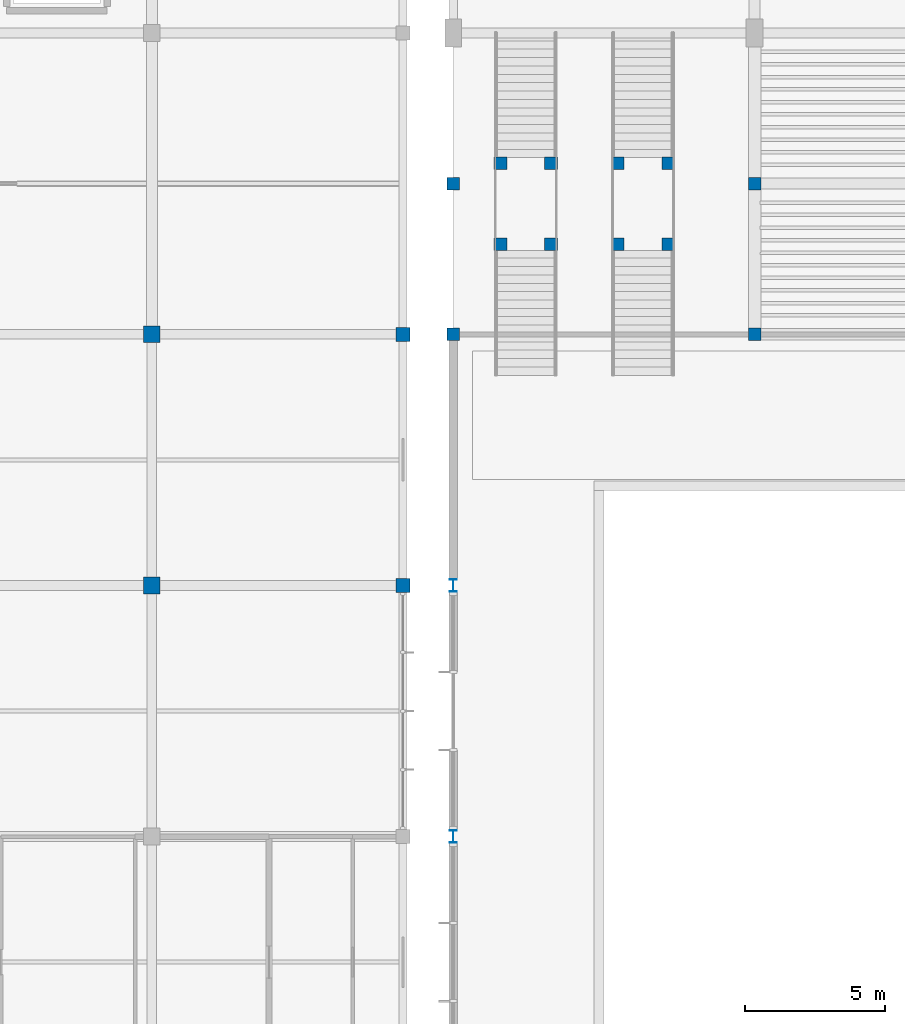
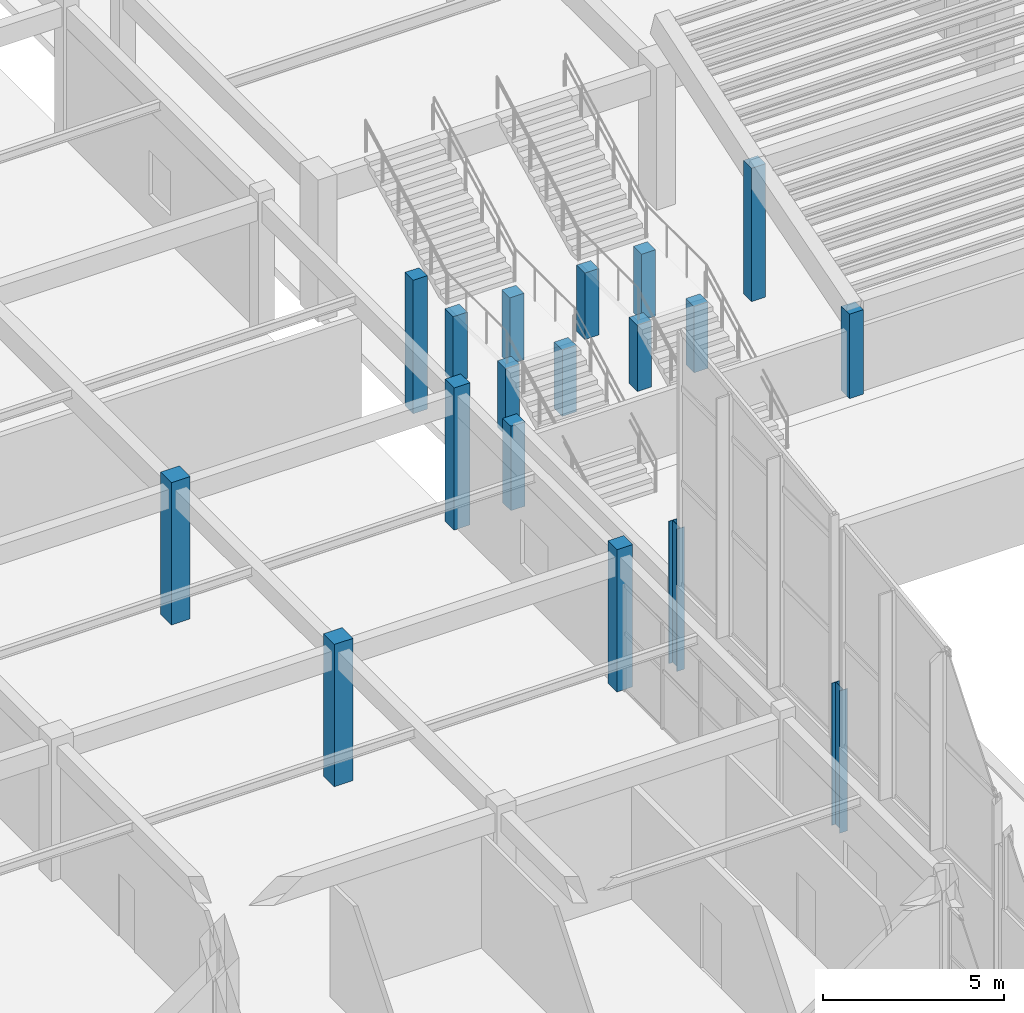
# One storey, part 7 of 82: 18 columns.
"""IFC4 building model written with IfcOpenShell, lengths in metres."""

from ifc_helpers import new_model, si_unit, direction, frame, origin, origin_2d, place, context, subcontext, project, spatial, rectangle, i_section, extrude, material, material_profile, profile_set, type_object, element, save


model = new_model("IFC4")

# Units and contexts
model_context = context("Model", 3, precision=1e-05, world=origin(), true_north=direction((0.0, 1.0)))
body_context = subcontext(model_context, "Body", "Model", "MODEL_VIEW")
ifc_project = project(units=[si_unit("LENGTHUNIT", "METRE"), si_unit("AREAUNIT", "SQUARE_METRE"), si_unit("VOLUMEUNIT", "CUBIC_METRE"), si_unit("PLANEANGLEUNIT", "RADIAN"), si_unit("MASSUNIT", "GRAM", prefix="KILO")], contexts=[model_context])

# Site, building, storey
site_placement = place(None, origin())
site = spatial("IfcSite", under=ifc_project, at=site_placement, CompositionType="ELEMENT")
building_placement = place(site_placement, origin())
building = spatial("IfcBuilding", under=site, at=building_placement, Name="Suirenkawa Promenade Aquatics Centre", CompositionType="ELEMENT")
storey_placement = place(building_placement, origin())
storey = spatial("IfcBuildingStorey", under=building, at=storey_placement, Name="L00", CompositionType="ELEMENT", Elevation=0.0)

# Columns
ifc_material_1 = material(Name="Concrete M40", Category="concrete")
ifc_material_profile_1 = material_profile(ifc_material_1, rectangle(XDim=0.449951171875, YDim=0.449951171875, at=origin_2d()), Name="RC COL 450x450", Category="concrete")
ifc_profile_set_1 = profile_set([ifc_material_profile_1], Name="Concrete M40")
column_type_1 = type_object("IfcColumnType", Name="CT-RC-450", PredefinedType="COLUMN", material=ifc_profile_set_1)
column_1_placement = place(storey_placement, frame((46.800048828125, 86.39990234375, 0.0), z_axis=(0.0, 0.0, 1.0), x_axis=(1.0, 0.0, 0.0)))
element("IfcColumn", 1, at=column_1_placement, inside=storey, type_object=column_type_1, Name="Column CL-01 COL-0948", PredefinedType="COLUMN", context=body_context, shape_type="SweptSolid", body=[
    extrude(rectangle(XDim=0.449951171875, YDim=0.449951171875, at=origin_2d()), origin(), (0.0, 0.0, 1.0), 2.85009765625),
])
column_2_placement = place(storey_placement, frame((46.800048828125, 91.800048828125, 0.0), z_axis=(0.0, 0.0, 1.0), x_axis=(1.0, 0.0, 0.0)))
element("IfcColumn", 2, at=column_2_placement, inside=storey, type_object=column_type_1, Name="Column CL-01 COL-0950", PredefinedType="COLUMN", context=body_context, shape_type="SweptSolid", body=[
    extrude(rectangle(XDim=0.449951171875, YDim=0.449951171875, at=origin_2d()), origin(), (0.0, 0.0, 1.0), 4.5),
])
column_3_placement = place(storey_placement, frame((57.60009765625, 86.39990234375, 0.0), z_axis=(0.0, 0.0, 1.0), x_axis=(1.0, 0.0, 0.0)))
element("IfcColumn", 3, at=column_3_placement, inside=storey, type_object=column_type_1, Name="Column CL-01 COL-0952", PredefinedType="COLUMN", context=body_context, shape_type="SweptSolid", body=[
    extrude(rectangle(XDim=0.449951171875, YDim=0.449951171875, at=origin_2d()), origin(), (0.0, 0.0, 1.0), 2.85009765625),
])
column_4_placement = place(storey_placement, frame((57.60009765625, 91.800048828125, 0.0), z_axis=(0.0, 0.0, 1.0), x_axis=(1.0, 0.0, 0.0)))
element("IfcColumn", 4, at=column_4_placement, inside=storey, type_object=column_type_1, Name="Column CL-01 COL-0954", PredefinedType="COLUMN", context=body_context, shape_type="SweptSolid", body=[
    extrude(rectangle(XDim=0.449951171875, YDim=0.449951171875, at=origin_2d()), origin(), (0.0, 0.0, 1.0), 4.5),
])
for number, where, z_axis, x_axis, name in (
    (5, (48.4951171875, 89.625, 0.0), (0.0, 0.0, 1.0), (1.0, 0.0, 0.0), "Column CL-01 COL-0992"),
    (6, (48.4951171875, 92.52490234375, 0.0), (0.0, 0.0, 1.0), (1.0, 0.0, 0.0), "Column CL-01 COL-0994"),
    (7, (50.304931640625, 89.625, 0.0), (0.0, 0.0, 1.0), (1.0, 0.0, 0.0), "Column CL-01 COL-0996"),
    (8, (50.304931640625, 92.52490234375, 0.0), (0.0, 0.0, 1.0), (1.0, 0.0, 0.0), "Column CL-01 COL-0998"),
    (9, (52.695068359375, 89.625, 0.0), (0.0, 0.0, 1.0), (1.0, 0.0, 0.0), "Column CL-01 COL-1000"),
    (10, (52.695068359375, 92.52490234375, 0.0), (0.0, 0.0, 1.0), (1.0, 0.0, 0.0), "Column CL-01 COL-1002"),
    (11, (54.5048828125, 89.625, 0.0), (0.0, 0.0, 1.0), (1.0, 0.0, 0.0), "Column CL-01 COL-1004"),
    (12, (54.5048828125, 92.52490234375, 0.0), (0.0, 0.0, 1.0), (1.0, 0.0, 0.0), "Column CL-01 COL-1006"),
):
    element("IfcColumn", number, at=place(storey_placement, frame(where, z_axis=z_axis, x_axis=x_axis)), inside=storey, type_object=column_type_1, Name=name, PredefinedType="COLUMN", context=body_context, shape_type="SweptSolid", body=[
        extrude(rectangle(XDim=0.449951171875, YDim=0.449951171875, at=origin_2d()), origin(), (0.0, 0.0, 1.0), 2.239990234375),
    ])
ifc_material_profile_2 = material_profile(ifc_material_1, rectangle(XDim=0.5, YDim=0.5, at=origin_2d()), Name="RC COL 500x500", Category="concrete")
ifc_profile_set_2 = profile_set([ifc_material_profile_2], Name="Concrete M40")
column_type_2 = type_object("IfcColumnType", Name="CT-RC-500", PredefinedType="COLUMN", material=ifc_profile_set_2)
for number, where, z_axis, x_axis, name in (
    (13, (45.0, 77.39990234375, 0.0), (0.0, 0.0, 1.0), (1.0, 0.0, 0.0), "Column CL-02 COL-0741"),
    (14, (45.0, 86.39990234375, 0.0), (0.0, 0.0, 1.0), (1.0, 0.0, 0.0), "Column CL-02 COL-0744"),
):
    element("IfcColumn", number, at=place(storey_placement, frame(where, z_axis=z_axis, x_axis=x_axis)), inside=storey, type_object=column_type_2, Name=name, PredefinedType="COLUMN", context=body_context, shape_type="SweptSolid", body=[
        extrude(rectangle(XDim=0.5, YDim=0.5, at=origin_2d()), origin(), (0.0, 0.0, 1.0), 4.800048828125),
    ])
ifc_material_profile_3 = material_profile(ifc_material_1, rectangle(XDim=0.60009765625, YDim=0.60009765625, at=origin_2d()), Name="RC COL 600x600", Category="concrete")
ifc_profile_set_3 = profile_set([ifc_material_profile_3], Name="Concrete M40")
column_type_3 = type_object("IfcColumnType", Name="CT-RC-600", PredefinedType="COLUMN", material=ifc_profile_set_3)
for number, where, z_axis, x_axis, name in (
    (15, (36.0, 77.39990234375, 0.0), (0.0, 0.0, 1.0), (1.0, 0.0, 0.0), "Column CL-03 COL-0557"),
    (16, (36.0, 86.39990234375, 0.0), (0.0, 0.0, 1.0), (1.0, 0.0, 0.0), "Column CL-03 COL-0561"),
):
    element("IfcColumn", number, at=place(storey_placement, frame(where, z_axis=z_axis, x_axis=x_axis)), inside=storey, type_object=column_type_3, Name=name, PredefinedType="COLUMN", context=body_context, shape_type="SweptSolid", body=[
        extrude(rectangle(XDim=0.60009765625, YDim=0.60009765625, at=origin_2d()), origin(), (0.0, 0.0, 1.0), 4.800048828125),
    ])
ifc_material_2 = material(Name="Steel IS 2062 E350 (Grade 350)", Category="steel")
ifc_material_profile_4 = material_profile(ifc_material_2, i_section(OverallWidth=0.25, OverallDepth=0.449951171875, WebThickness=0.010986328125, FlangeThickness=0.013916015625, at=origin_2d()), Name="ISHB 450", Category="steel")
ifc_profile_set_4 = profile_set([ifc_material_profile_4], Name="Steel IS 2062 E350 (Grade 350)")
column_type_4 = type_object("IfcColumnType", Name="CT-STL-ISHB450", PredefinedType="COLUMN", material=ifc_profile_set_4)
for number, where, z_axis, x_axis, name in (
    (17, (46.800048828125, 68.39990234375, 0.0), (0.0, 0.0, 1.0), (1.0, 0.0, 0.0), "Column CL-13 COL-0789"),
    (18, (46.800048828125, 77.39990234375, 0.0), (0.0, 0.0, 1.0), (1.0, 0.0, 0.0), "Column CL-13 COL-0792"),
):
    element("IfcColumn", number, at=place(storey_placement, frame(where, z_axis=z_axis, x_axis=x_axis)), inside=storey, type_object=column_type_4, Name=name, PredefinedType="COLUMN", context=body_context, shape_type="SweptSolid", body=[
        extrude(i_section(OverallWidth=0.25, OverallDepth=0.449951171875, WebThickness=0.010986328125, FlangeThickness=0.013916015625, at=origin_2d()), origin(), (0.0, 0.0, 1.0), 4.800048828125),
    ])

save(model, "model.ifc")
